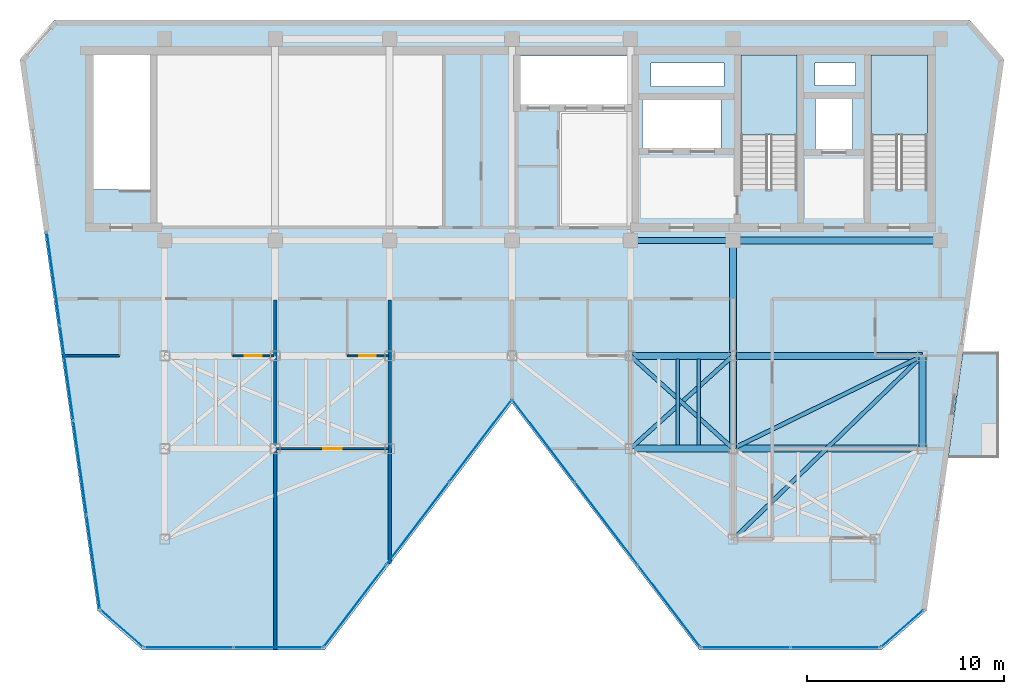
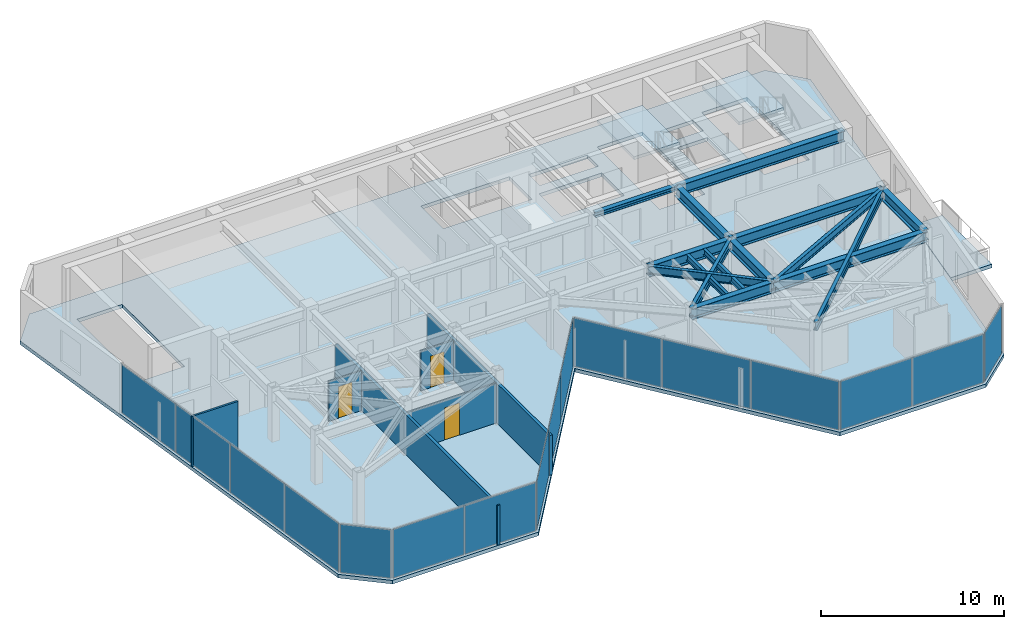
# One storey, part 15 of 20: 16 plates, 15 beams, 6 walls, 4 slabs, 3 doors, 3 openings, 9 elements without a shape of their own.
"""IFC4 building model written with IfcOpenShell, lengths in metres."""

import ifcopenshell
import ifcopenshell.guid

model = None  # the IFC model being written
_history = None  # IfcOwnerHistory: only IFC2X3 demands one
_inside = {}  # id of a spatial element -> (the spatial element, [elements in it])
_under = {}  # id of a project, library or spatial element -> (it, [spatial elements below it])
_declared = {}  # id of a project -> (the project, [libraries it declares])
_typed = {}  # id of a type object -> (the type object, [elements of that type])
_made_of = {}  # id of a material, layer set ... -> (it, [elements and type objects made of it])


def new_model(schema):
    """Start an empty IFC model of exactly this schema.

    Asked for "IFC4X3", IfcOpenShell would pick the latest addendum, in which some entities
    have other attributes; the version numbers below select the first issue.
    IFC2X3 requires an IfcOwnerHistory on every rooted entity: one is made here for all.
    """
    global model, _history
    if schema == "IFC4X3":
        model = ifcopenshell.file(schema_version=(4, 3, 0, 0))
    else:
        model = ifcopenshell.file(schema=schema)
    _inside.clear()
    _under.clear()
    _declared.clear()
    _typed.clear()
    _made_of.clear()
    _history = None
    if model.schema == "IFC2X3":
        org = make("IfcOrganization", Name="unknown")
        user = make(
            "IfcPersonAndOrganization",
            ThePerson=make("IfcPerson", FamilyName="unknown"),
            TheOrganization=org,
        )
        app = make(
            "IfcApplication",
            ApplicationDeveloper=org,
            Version="unknown",
            ApplicationFullName="unknown",
            ApplicationIdentifier="unknown",
        )
        _history = make(
            "IfcOwnerHistory",
            OwningUser=user,
            OwningApplication=app,
            ChangeAction="ADDED",
            CreationDate=0,
        )
    return model


def make(cls, **values):
    """One entity of the class cls with the attributes given. An attribute that is None is left unset."""
    return model.create_entity(
        cls, **{name: value for name, value in values.items() if value is not None}
    )


def rooted(cls, **values):
    """An entity with a GlobalId (a new one), such as an element, a storey or a relation."""
    return make(cls, GlobalId=ifcopenshell.guid.new(), OwnerHistory=_history, **values)


def si_unit(unit_type, name, prefix=None):
    """IfcSIUnit, for example si_unit("LENGTHUNIT", "METRE", prefix="MILLI")."""
    return make("IfcSIUnit", UnitType=unit_type, Prefix=prefix, Name=name)


def assignment(units):
    """IfcUnitAssignment: the units of a project."""
    return None if units is None else make("IfcUnitAssignment", Units=units)


def point(xyz):
    """IfcCartesianPoint."""
    return None if xyz is None else make("IfcCartesianPoint", Coordinates=xyz)


def direction(xyz):
    """IfcDirection."""
    return None if xyz is None else make("IfcDirection", DirectionRatios=xyz)


def frame(location, z_axis=None, x_axis=None):
    """IfcAxis2Placement3D, a coordinate frame: its origin and axes. An axis left out is left unset."""
    return make(
        "IfcAxis2Placement3D",
        Location=point(location),
        Axis=direction(z_axis),
        RefDirection=direction(x_axis),
    )


def frame_2d(location, x_axis=None):
    """IfcAxis2Placement2D, a coordinate frame in the plane: its origin and x axis."""
    return make(
        "IfcAxis2Placement2D", Location=point(location), RefDirection=direction(x_axis)
    )


def origin():
    """The frame at (0, 0, 0) with its axes left unset."""
    return frame((0.0, 0.0, 0.0))


def origin_2d():
    """The frame at (0, 0) in the plane with its x axis left unset."""
    return frame_2d((0.0, 0.0))


def place(relative_to, where):
    """IfcLocalPlacement: puts the frame where relative to a parent placement (None: the world)."""
    return make(
        "IfcLocalPlacement", PlacementRelTo=relative_to, RelativePlacement=where
    )


def context(
    kind, dimensions, precision=None, world=None, true_north=None, identifier=None
):
    """IfcGeometricRepresentationContext, for example the 3D "Model" context."""
    return make(
        "IfcGeometricRepresentationContext",
        ContextIdentifier=identifier,
        ContextType=kind,
        CoordinateSpaceDimension=dimensions,
        Precision=precision,
        WorldCoordinateSystem=world,
        TrueNorth=true_north,
    )


def subcontext(parent, identifier, kind, view, scale=None):
    """IfcGeometricRepresentationSubContext, for example "Body" below "Model"."""
    return make(
        "IfcGeometricRepresentationSubContext",
        ContextIdentifier=identifier,
        ContextType=kind,
        ParentContext=parent,
        TargetScale=scale,
        TargetView=view,
    )


def project(units=None, contexts=None):
    """IfcProject with its units and contexts."""
    return rooted(
        "IfcProject",
        Name="project",
        RepresentationContexts=contexts,
        UnitsInContext=assignment(units),
    )


def spatial(cls, under=None, at=None, **own):
    """A site, building, storey or space (cls), placed at a placement, below another one or the project."""
    s = rooted(cls, ObjectPlacement=at, **own)
    if under is not None:
        _under.setdefault(under.id(), (under, []))[1].append(s)
    return s


def polyline(points):
    """IfcPolyline through the points."""
    return make("IfcPolyline", Points=[point(p) for p in points])


def profile(cls, at=None, kind="AREA", **sizes):
    """A parametric profile (cls). Its sizes go by their IFC names, for example OverallWidth=200.0."""
    return make(cls, ProfileType=kind, Position=at, **sizes)


def rectangle(**sizes):
    """IfcRectangleProfileDef."""
    return profile("IfcRectangleProfileDef", **sizes)


def i_section(**sizes):
    """IfcIShapeProfileDef."""
    return profile("IfcIShapeProfileDef", **sizes)


def outline(outer, holes=None, kind="AREA"):
    """IfcArbitraryClosedProfileDef: a profile drawn as a closed curve; with holes, ...WithVoids."""
    if holes is None:
        return make("IfcArbitraryClosedProfileDef", ProfileType=kind, OuterCurve=outer)
    return make(
        "IfcArbitraryProfileDefWithVoids",
        ProfileType=kind,
        OuterCurve=outer,
        InnerCurves=holes,
    )


def extrude(swept, where, along, depth):
    """IfcExtrudedAreaSolid: the profile swept, set in the frame where, extruded along a direction by depth."""
    return make(
        "IfcExtrudedAreaSolid",
        SweptArea=swept,
        Position=where,
        ExtrudedDirection=direction(along),
        Depth=depth,
    )


def shape(context_of_items, identifier, shape_type, items):
    """IfcShapeRepresentation: the items that make up one representation, for example the "Body"."""
    return make(
        "IfcShapeRepresentation",
        ContextOfItems=context_of_items,
        RepresentationIdentifier=identifier,
        RepresentationType=shape_type,
        Items=items,
    )


def material(Name=None, Category=None):
    """IfcMaterial."""
    return make("IfcMaterial", Name=Name, Category=Category)


def layer(
    of_material, thickness, ventilated=None, Name=None, Category=None, Priority=None
):
    """IfcMaterialLayer: one layer of a wall or slab, of a material (None: an air gap)."""
    return make(
        "IfcMaterialLayer",
        Material=of_material,
        LayerThickness=thickness,
        IsVentilated=ventilated,
        Name=Name,
        Category=Category,
        Priority=Priority,
    )


def layer_set(layers, Name=None):
    """IfcMaterialLayerSet."""
    return make("IfcMaterialLayerSet", MaterialLayers=layers, LayerSetName=Name)


def material_profile(
    of_material, cross_section, Name=None, Category=None, Priority=None
):
    """IfcMaterialProfile: a cross section and its material."""
    return make(
        "IfcMaterialProfile",
        Name=Name,
        Material=of_material,
        Profile=cross_section,
        Priority=Priority,
        Category=Category,
    )


def profile_set(profiles, Name=None, composite=None):
    """IfcMaterialProfileSet."""
    return make(
        "IfcMaterialProfileSet",
        Name=Name,
        MaterialProfiles=profiles,
        CompositeProfile=composite,
    )


def made_of(thing, what):
    """Note that an element or type object is made of a material, layer set ...; save() writes the relation."""
    if what is not None:
        _made_of.setdefault(what.id(), (what, []))[1].append(thing)
    return thing


def type_object(cls, material=None, **own):
    """A type object (cls), such as IfcWallType, which elements share."""
    return made_of(rooted(cls, **own), material)


def element(
    cls,
    number,
    at=None,
    inside=None,
    cuts=None,
    type_object=None,
    material=None,
    context=None,
    identifier="Body",
    shape_type=None,
    held_by="IfcProductDefinitionShape",
    body=None,
    shapes=None,
    **own,
):
    """One element of the class cls, such as IfcWall. Its Tag is "e" and its number.

    at: its placement. inside: the storey or other place that contains it. cuts: it is an
    opening in that element (IfcRelVoidsElement). A single representation is given by context,
    identifier, shape_type and body (its items); several are given by shapes. held_by: the class
    of the entity that holds the representations. save() writes the other relations.
    """
    e = rooted(cls, Tag="e%d" % number, ObjectPlacement=at, **own)
    if body is not None:
        shapes = [shape(context, identifier, shape_type, body)]
    if shapes is not None:
        e.Representation = make(held_by, Representations=shapes)
    if inside is not None:
        _inside.setdefault(inside.id(), (inside, []))[1].append(e)
    if cuts is not None:
        rooted(
            "IfcRelVoidsElement", RelatingBuildingElement=cuts, RelatedOpeningElement=e
        )
    if type_object is not None:
        _typed.setdefault(type_object.id(), (type_object, []))[1].append(e)
    return made_of(e, material)


def fill(opening, filler):
    """IfcRelFillsElement: the door or window that sits in an opening."""
    return rooted(
        "IfcRelFillsElement",
        RelatingOpeningElement=opening,
        RelatedBuildingElement=filler,
    )


def aggregate(whole, parts):
    """IfcRelAggregates: a whole, such as a stair, and the parts it consists of."""
    return rooted("IfcRelAggregates", RelatingObject=whole, RelatedObjects=parts)


def save(model, path):
    """Write the relations noted so far, then the file.

    IfcRelAggregates (storeys below a building ...), IfcRelContainedInSpatialStructure (elements
    in a storey), IfcRelDefinesByType, IfcRelAssociatesMaterial and IfcRelDeclares: one each for
    every whole, place, type object, material and project.
    """
    for whole, parts in _under.values():
        aggregate(whole, parts)
    for where, things in _inside.values():
        rooted(
            "IfcRelContainedInSpatialStructure",
            RelatedElements=things,
            RelatingStructure=where,
        )
    for kind, things in _typed.values():
        rooted("IfcRelDefinesByType", RelatedObjects=things, RelatingType=kind)
    for what, things in _made_of.values():
        rooted("IfcRelAssociatesMaterial", RelatedObjects=things, RelatingMaterial=what)
    for by, libraries in _declared.values():
        rooted("IfcRelDeclares", RelatingContext=by, RelatedDefinitions=libraries)
    model.write(path)


model = new_model("IFC4")

# Units and contexts
model_context = context("Model", 3, precision=1e-05, world=origin(), true_north=direction((0.0, 1.0)))
body_context = subcontext(model_context, "Body", "Model", "MODEL_VIEW")
ifc_project = project(units=[si_unit("LENGTHUNIT", "METRE"), si_unit("AREAUNIT", "SQUARE_METRE"), si_unit("VOLUMEUNIT", "CUBIC_METRE"), si_unit("PLANEANGLEUNIT", "RADIAN"), si_unit("MASSUNIT", "GRAM", prefix="KILO")], contexts=[model_context])

# Site, building, storey
site_placement = place(None, origin())
site = spatial("IfcSite", under=ifc_project, at=site_placement, CompositionType="ELEMENT")
building_placement = place(site_placement, origin())
building = spatial("IfcBuilding", under=site, at=building_placement, Name="Kravanh Interchange Tower", CompositionType="ELEMENT")
storey_placement = place(building_placement, frame((0.0, 0.0, 241.800048828125)))
storey = spatial("IfcBuildingStorey", under=building, at=storey_placement, Name="L58", CompositionType="ELEMENT", Elevation=241.800048828125)

# Beams
ifc_material_1 = material(Name="Structural Steel S355", Category="steel")
ifc_material_profile_1 = material_profile(ifc_material_1, i_section(OverallWidth=0.35498046875, OverallDepth=0.696044921875, WebThickness=0.015380859375, FlangeThickness=0.02490234375, FilletRadius=0.02392578125, at=origin_2d()), Name="W27X146")
ifc_profile_set_1 = profile_set([ifc_material_profile_1], Name="Structural Steel S355")
beam_type_1 = type_object("IfcBeamType", Name="Floor Beam W27X146 Structural Steel S355", PredefinedType="BEAM", material=ifc_profile_set_1)
beam_1_placement = place(storey_placement, frame((50.800048828125, 31.5, 3.001953125), z_axis=(1.0, 0.0, 0.0), x_axis=(0.0, 1.0, 0.0)))
element("IfcBeam", 1, at=beam_1_placement, inside=storey, type_object=beam_type_1, Name="L58 Primary Floor Girder 6", PredefinedType="BEAM", context=body_context, shape_type="SweptSolid", body=[
    extrude(i_section(OverallWidth=0.35498046875, OverallDepth=0.696044921875, WebThickness=0.015380859375, FlangeThickness=0.02490234375, FilletRadius=0.02392578125, at=origin_2d()), origin(), (0.0, 0.0, 1.0), 5.199951171875),
])
beam_2_placement = place(storey_placement, frame((56.0, 31.5, 3.001953125), z_axis=(0.0, -1.0, 0.0), x_axis=(1.0, 0.0, 0.0)))
element("IfcBeam", 2, at=beam_2_placement, inside=storey, type_object=beam_type_1, Name="L58 Primary Floor Girder 9", PredefinedType="BEAM", context=body_context, shape_type="SweptSolid", body=[
    extrude(i_section(OverallWidth=0.35498046875, OverallDepth=0.696044921875, WebThickness=0.015380859375, FlangeThickness=0.02490234375, FilletRadius=0.02392578125, at=origin_2d()), origin(), (0.0, 0.0, 1.0), 4.699951171875),
])
beam_3_placement = place(storey_placement, frame((56.0, 31.5, 3.001953125), z_axis=(0.0, 1.0, 0.0), x_axis=(-1.0, 0.0, 0.0)))
element("IfcBeam", 3, at=beam_3_placement, inside=storey, type_object=beam_type_1, Name="L58 Primary Floor Girder 10", PredefinedType="BEAM", context=body_context, shape_type="SweptSolid", body=[
    extrude(i_section(OverallWidth=0.35498046875, OverallDepth=0.696044921875, WebThickness=0.015380859375, FlangeThickness=0.02490234375, FilletRadius=0.02392578125, at=origin_2d()), origin(), (0.0, 0.0, 1.0), 5.85009765625),
])
beam_4_placement = place(storey_placement, frame((56.0, 31.5, 3.001953125), z_axis=(1.0, 0.0, 0.0), x_axis=(0.0, 1.0, 0.0)))
element("IfcBeam", 4, at=beam_4_placement, inside=storey, type_object=beam_type_1, Name="L58 Primary Floor Girder 12", PredefinedType="BEAM", context=body_context, shape_type="SweptSolid", body=[
    extrude(i_section(OverallWidth=0.35498046875, OverallDepth=0.696044921875, WebThickness=0.015380859375, FlangeThickness=0.02490234375, FilletRadius=0.02392578125, at=origin_2d()), origin(), (0.0, 0.0, 1.0), 9.60009765625),
])
beam_5_placement = place(storey_placement, frame((65.60009765625, 31.5, 3.001953125), z_axis=(0.0, -1.0, 0.0), x_axis=(1.0, 0.0, 0.0)))
element("IfcBeam", 5, at=beam_5_placement, inside=storey, type_object=beam_type_1, Name="L58 Primary Floor Girder 13", PredefinedType="BEAM", context=body_context, shape_type="SweptSolid", body=[
    extrude(i_section(OverallWidth=0.35498046875, OverallDepth=0.696044921875, WebThickness=0.015380859375, FlangeThickness=0.02490234375, FilletRadius=0.02392578125, at=origin_2d()), origin(), (0.0, 0.0, 1.0), 4.699951171875),
])
beam_6_placement = place(storey_placement, frame((50.800048828125, 26.800048828125, 3.001953125), z_axis=(1.0, 0.0, 0.0), x_axis=(0.0, 1.0, 0.0)))
element("IfcBeam", 6, at=beam_6_placement, inside=storey, type_object=beam_type_1, Name="L58 Primary Floor Girder 31", PredefinedType="BEAM", context=body_context, shape_type="SweptSolid", body=[
    extrude(i_section(OverallWidth=0.35498046875, OverallDepth=0.696044921875, WebThickness=0.015380859375, FlangeThickness=0.02490234375, FilletRadius=0.02392578125, at=origin_2d()), origin(), (0.0, 0.0, 1.0), 5.199951171875),
])
beam_7_placement = place(storey_placement, frame((56.0, 26.800048828125, 3.001953125), z_axis=(1.0, 0.0, 0.0), x_axis=(0.0, 1.0, 0.0)))
element("IfcBeam", 7, at=beam_7_placement, inside=storey, type_object=beam_type_1, Name="L58 Primary Floor Girder 36", PredefinedType="BEAM", context=body_context, shape_type="SweptSolid", body=[
    extrude(i_section(OverallWidth=0.35498046875, OverallDepth=0.696044921875, WebThickness=0.015380859375, FlangeThickness=0.02490234375, FilletRadius=0.02392578125, at=origin_2d()), origin(), (0.0, 0.0, 1.0), 9.60009765625),
])
beam_8_placement = place(storey_placement, frame((66.5, 37.35009765625, 3.001953125), z_axis=(-1.0, 0.0, 0.0), x_axis=(0.0, -1.0, 0.0)))
element("IfcBeam", 8, at=beam_8_placement, inside=storey, type_object=beam_type_1, Name="L58 Primary Floor Girder 47", PredefinedType="BEAM", context=body_context, shape_type="SweptSolid", body=[
    extrude(i_section(OverallWidth=0.35498046875, OverallDepth=0.696044921875, WebThickness=0.015380859375, FlangeThickness=0.02490234375, FilletRadius=0.02392578125, at=origin_2d()), origin(), (0.0, 0.0, 1.0), 10.5),
])
ifc_material_2 = material(Name="Structural Steel S355", Category="steel")
ifc_material_profile_2 = material_profile(ifc_material_2, i_section(OverallWidth=0.177978515625, OverallDepth=0.406005859375, WebThickness=0.0078125, FlangeThickness=0.0126953125, FilletRadius=0.01611328125, at=origin_2d()), Name="W16X40")
ifc_profile_set_2 = profile_set([ifc_material_profile_2], Name="Structural Steel S355")
beam_type_2 = type_object("IfcBeamType", Name="Floor Joist W16X40 Structural Steel S355", PredefinedType="JOIST", material=ifc_profile_set_2)
for number, where, z_axis, x_axis, name in (
    (9, (53.205078125, 26.972412109375, 3.14697265625), (0.0, 1.0, 0.0), (-1.0, 0.0, 0.0), "L58 Secondary Floor Joist 11"),
    (10, (54.258056640625, 26.972412109375, 3.14697265625), (0.0, 1.0, 0.0), (-1.0, 0.0, 0.0), "L58 Secondary Floor Joist 12"),
):
    element("IfcBeam", number, at=place(storey_placement, frame(where, z_axis=z_axis, x_axis=x_axis)), inside=storey, type_object=beam_type_2, Name=name, PredefinedType="JOIST", context=body_context, shape_type="SweptSolid", body=[
        extrude(i_section(OverallWidth=0.177978515625, OverallDepth=0.406005859375, WebThickness=0.0078125, FlangeThickness=0.0126953125, FilletRadius=0.01611328125, at=origin_2d()), origin(), (0.0, 0.0, 1.0), 4.35498046875),
    ])
ifc_material_3 = material(Name="Structural Steel S355", Category="steel")
ifc_material_profile_3 = material_profile(ifc_material_3, i_section(OverallWidth=0.304931640625, OverallDepth=0.306884765625, WebThickness=0.010009765625, FlangeThickness=0.015380859375, FilletRadius=0.014892578125, at=origin_2d()), Name="W12X65")
ifc_profile_set_3 = profile_set([ifc_material_profile_3], Name="Structural Steel S355")
beam_type_3 = type_object("IfcBeamType", Name="Floor Lintel W12X65 Structural Steel S355", PredefinedType="LINTEL", material=ifc_profile_set_3)
beam_9_placement = place(storey_placement, frame((50.800048828125, 37.35009765625, 3.196533203125), z_axis=(1.0, 0.0, 0.0), x_axis=(0.0, 1.0, 0.0)))
element("IfcBeam", 11, at=beam_9_placement, inside=storey, type_object=beam_type_3, Name="L58 Core Coupling Lintel 1", PredefinedType="LINTEL", context=body_context, shape_type="SweptSolid", body=[
    extrude(i_section(OverallWidth=0.304931640625, OverallDepth=0.306884765625, WebThickness=0.010009765625, FlangeThickness=0.015380859375, FilletRadius=0.014892578125, at=origin_2d()), origin(), (0.0, 0.0, 1.0), 5.199951171875),
])
ifc_material_4 = material(Name="Structural Steel S355", Category="steel")
ifc_material_profile_4 = material_profile(ifc_material_4, i_section(OverallWidth=0.2099609375, OverallDepth=0.537109375, WebThickness=0.010986328125, FlangeThickness=0.017333984375, FilletRadius=0.02001953125, at=origin_2d()), Name="W21X68")
ifc_profile_set_4 = profile_set([ifc_material_profile_4], Name="Structural Steel S355")
beam_type_4 = type_object("IfcBeamType", Name="Floor Spandrel W21X68 Structural Steel S355", PredefinedType="SPANDREL", material=ifc_profile_set_4)
for number, where, z_axis, x_axis, name in (
    (12, (50.800048828125, 31.5, 3.08154296875), (0.741874009795, -0.670539300557, 0.0), (0.670539300557, 0.741874009795, 0.0), "L58 Perimeter Spandrel 8"),
    (13, (56.0, 31.5, 3.08154296875), (-0.741874009795, -0.670539300557, 0.0), (0.670539300557, -0.741874009795, 0.0), "L58 Perimeter Spandrel 11"),
):
    element("IfcBeam", number, at=place(storey_placement, frame(where, z_axis=z_axis, x_axis=x_axis)), inside=storey, type_object=beam_type_4, Name=name, PredefinedType="SPANDREL", context=body_context, shape_type="SweptSolid", body=[
        extrude(i_section(OverallWidth=0.2099609375, OverallDepth=0.537109375, WebThickness=0.010986328125, FlangeThickness=0.017333984375, FilletRadius=0.02001953125, at=origin_2d()), origin(), (0.0, 0.0, 1.0), 7.00927734375),
    ])
beam_10_placement = place(storey_placement, frame((65.60009765625, 31.5, 3.08154296875), z_axis=(-0.898141688387, -0.439706160499, 0.0), x_axis=(0.439706160499, -0.898141688387, 0.0)))
element("IfcBeam", 14, at=beam_10_placement, inside=storey, type_object=beam_type_4, Name="L58 Perimeter Spandrel 15", PredefinedType="SPANDREL", context=body_context, shape_type="SweptSolid", body=[
    extrude(i_section(OverallWidth=0.2099609375, OverallDepth=0.537109375, WebThickness=0.010986328125, FlangeThickness=0.017333984375, FilletRadius=0.02001953125, at=origin_2d()), origin(), (0.0, 0.0, 1.0), 10.68896484375),
])
beam_11_placement = place(storey_placement, frame((65.60009765625, 31.5, 3.08154296875), z_axis=(-0.718241934329, -0.695793449072, 0.0), x_axis=(0.695793449072, -0.718241934329, 0.0)))
element("IfcBeam", 15, at=beam_11_placement, inside=storey, type_object=beam_type_4, Name="L58 Perimeter Spandrel 16", PredefinedType="SPANDREL", context=body_context, shape_type="SweptSolid", body=[
    extrude(i_section(OverallWidth=0.2099609375, OverallDepth=0.537109375, WebThickness=0.010986328125, FlangeThickness=0.017333984375, FilletRadius=0.02001953125, at=origin_2d()), origin(), (0.0, 0.0, 1.0), 13.3662109375),
])

# Curtain wall, plates
ifc_material_5 = material(Name="Anodised Bronze Aluminium", Category="aluminium")
ifc_layer_1 = layer(ifc_material_5, 0.179931640625)
ifc_layer_set_1 = layer_set([ifc_layer_1], Name="Unitised Curtain Wall System CW-HTL Luxury Hotel")
curtain_wall_type = type_object("IfcCurtainWallType", Name="Unitised Curtain Wall System CW-HTL Luxury Hotel", PredefinedType="NOTDEFINED", material=ifc_layer_set_1)
curtain_wall_1_placement = place(storey_placement, origin())
curtain_wall_1 = element("IfcCurtainWall", 16, at=curtain_wall_1_placement, inside=storey, type_object=curtain_wall_type, Name="L58 Unitised Curtain Wall CW-L58-01", PredefinedType="NOTDEFINED")
ifc_material_6 = material(Name="Low-E Laminated Architectural Glass", Category="glass")
ifc_layer_2 = layer(ifc_material_6, 0.030029296875)
ifc_layer_set_2 = layer_set([ifc_layer_2], Name="Acoustic Laminated Glazing 30mm")
plate_type = type_object("IfcPlateType", Name="Acoustic Laminated Glazing 30mm", PredefinedType="CURTAIN_PANEL", material=ifc_layer_set_2)
plate_1_placement = place(storey_placement, frame((23.578857421875, 21.05126953125, 0.06005859375), z_axis=(0.0, 0.0, 1.0), x_axis=(-0.13917626751, 0.990267623707, 0.0)))
plate_1 = element("IfcPlate", 17, at=plate_1_placement, type_object=plate_type, Name="CW-HTL panel 1.1", PredefinedType="CURTAIN_PANEL", context=body_context, shape_type="SweptSolid", body=[
    extrude(rectangle(XDim=4.74658203125, YDim=0.030029296875, at=origin_2d()), origin(), (0.0, 0.0, 1.0), 3.22998046875),
])
plate_2_placement = place(storey_placement, frame((22.90771484375, 25.825927734375, 0.06005859375), z_axis=(0.0, 0.0, 1.0), x_axis=(-0.13917626751, 0.990267623707, 0.0)))
plate_2 = element("IfcPlate", 18, at=plate_2_placement, type_object=plate_type, Name="CW-HTL panel 2.1", PredefinedType="CURTAIN_PANEL", context=body_context, shape_type="SweptSolid", body=[
    extrude(rectangle(XDim=4.776611328125, YDim=0.030029296875, at=origin_2d()), origin(), (0.0, 0.0, 1.0), 3.22998046875),
])
plate_3_placement = place(storey_placement, frame((22.234619140625, 30.615478515625, 0.06005859375), z_axis=(0.0, 0.0, 1.0), x_axis=(-0.13917626751, 0.990267623707, 0.0)))
plate_3 = element("IfcPlate", 19, at=plate_3_placement, type_object=plate_type, Name="CW-HTL panel 3.1", PredefinedType="CURTAIN_PANEL", context=body_context, shape_type="SweptSolid", body=[
    extrude(rectangle(XDim=4.776611328125, YDim=0.030029296875, at=origin_2d()), origin(), (0.0, 0.0, 1.0), 3.22998046875),
])
plate_4_placement = place(storey_placement, frame((21.5634765625, 35.390380859375, 0.06005859375), z_axis=(0.0, 0.0, 1.0), x_axis=(-0.13917626751, 0.990267623707, 0.0)))
plate_4 = element("IfcPlate", 20, at=plate_4_placement, type_object=plate_type, Name="CW-HTL panel 4.1", PredefinedType="CURTAIN_PANEL", context=body_context, shape_type="SweptSolid", body=[
    extrude(rectangle(XDim=4.74658203125, YDim=0.030029296875, at=origin_2d()), origin(), (0.0, 0.0, 1.0), 3.22998046875),
])
aggregate(curtain_wall_1, [plate_1, plate_2, plate_3, plate_4])

# Curtain wall, plate
curtain_wall_2_placement = place(storey_placement, origin())
curtain_wall_2 = element("IfcCurtainWall", 21, at=curtain_wall_2_placement, inside=storey, type_object=curtain_wall_type, Name="L58 Unitised Curtain Wall CW-L58-02", PredefinedType="NOTDEFINED")
plate_5_placement = place(storey_placement, frame((64.5771484375, 17.680908203125, 0.06005859375), z_axis=(0.0, 0.0, 1.0), x_axis=(-0.75473192521, -0.656033323139, 0.0)))
plate_5 = element("IfcPlate", 22, at=plate_5_placement, type_object=plate_type, Name="CW-HTL panel 1.1", PredefinedType="CURTAIN_PANEL", context=body_context, shape_type="SweptSolid", body=[
    extrude(rectangle(XDim=2.80908203125, YDim=0.030029296875, at=origin_2d()), origin(), (0.0, 0.0, 1.0), 3.22998046875),
])
aggregate(curtain_wall_2, [plate_5])

# Curtain wall, plates
curtain_wall_3_placement = place(storey_placement, origin())
curtain_wall_3 = element("IfcCurtainWall", 23, at=curtain_wall_3_placement, inside=storey, type_object=curtain_wall_type, Name="L58 Unitised Curtain Wall CW-L58-03", PredefinedType="NOTDEFINED")
plate_6_placement = place(storey_placement, frame((61.1787109375, 16.719970703125, 0.06005859375), z_axis=(0.0, 0.0, 1.0), x_axis=(-1.0, 0.0, 0.0)))
plate_6 = element("IfcPlate", 24, at=plate_6_placement, type_object=plate_type, Name="CW-HTL panel 1.1", PredefinedType="CURTAIN_PANEL", context=body_context, shape_type="SweptSolid", body=[
    extrude(rectangle(XDim=4.466064453125, YDim=0.030029296875, at=origin_2d()), origin(), (0.0, 0.0, 1.0), 3.22998046875),
])
plate_7_placement = place(storey_placement, frame((56.652587890625, 16.719970703125, 0.06005859375), z_axis=(0.0, 0.0, 1.0), x_axis=(-1.0, 0.0, 0.0)))
plate_7 = element("IfcPlate", 25, at=plate_7_placement, type_object=plate_type, Name="CW-HTL panel 2.1", PredefinedType="CURTAIN_PANEL", context=body_context, shape_type="SweptSolid", body=[
    extrude(rectangle(XDim=4.466064453125, YDim=0.030029296875, at=origin_2d()), origin(), (0.0, 0.0, 1.0), 3.22998046875),
])
aggregate(curtain_wall_3, [plate_6, plate_7])

curtain_wall_4_placement = place(storey_placement, origin())
curtain_wall_4 = element("IfcCurtainWall", 26, at=curtain_wall_4_placement, inside=storey, type_object=curtain_wall_type, Name="L58 Unitised Curtain Wall CW-L58-04", PredefinedType="NOTDEFINED")
plate_8_placement = place(storey_placement, frame((52.757080078125, 18.828369140625, 0.06005859375), z_axis=(0.0, 0.0, 1.0), x_axis=(-0.605082946564, 0.79616243806, 0.0)))
plate_8 = element("IfcPlate", 27, at=plate_8_placement, type_object=plate_type, Name="CW-HTL panel 1.1", PredefinedType="CURTAIN_PANEL", context=body_context, shape_type="SweptSolid", body=[
    extrude(rectangle(XDim=5.17626953125, YDim=0.030029296875, at=origin_2d()), origin(), (0.0, 0.0, 1.0), 3.22998046875),
])
plate_9_placement = place(storey_placement, frame((49.579833984375, 23.009033203125, 0.06005859375), z_axis=(0.0, 0.0, 1.0), x_axis=(-0.605082946564, 0.79616243806, 0.0)))
plate_9 = element("IfcPlate", 28, at=plate_9_placement, type_object=plate_type, Name="CW-HTL panel 2.1", PredefinedType="CURTAIN_PANEL", context=body_context, shape_type="SweptSolid", body=[
    extrude(rectangle(XDim=5.206298828125, YDim=0.030029296875, at=origin_2d()), origin(), (0.0, 0.0, 1.0), 3.22998046875),
])
plate_10_placement = place(storey_placement, frame((46.40234375, 27.18994140625, 0.06005859375), z_axis=(0.0, 0.0, 1.0), x_axis=(-0.605082946564, 0.79616243806, 0.0)))
plate_10 = element("IfcPlate", 29, at=plate_10_placement, type_object=plate_type, Name="CW-HTL panel 3.1", PredefinedType="CURTAIN_PANEL", context=body_context, shape_type="SweptSolid", body=[
    extrude(rectangle(XDim=5.17626953125, YDim=0.030029296875, at=origin_2d()), origin(), (0.0, 0.0, 1.0), 3.22998046875),
])
aggregate(curtain_wall_4, [plate_8, plate_9, plate_10])

curtain_wall_5_placement = place(storey_placement, origin())
curtain_wall_5 = element("IfcCurtainWall", 30, at=curtain_wall_5_placement, inside=storey, type_object=curtain_wall_type, Name="L58 Unitised Curtain Wall CW-L58-05", PredefinedType="NOTDEFINED")
plate_11_placement = place(storey_placement, frame((43.19775390625, 27.18994140625, 0.06005859375), z_axis=(0.0, 0.0, 1.0), x_axis=(-0.605082946564, -0.79616243806, 0.0)))
plate_11 = element("IfcPlate", 31, at=plate_11_placement, type_object=plate_type, Name="CW-HTL panel 1.1", PredefinedType="CURTAIN_PANEL", context=body_context, shape_type="SweptSolid", body=[
    extrude(rectangle(XDim=5.17626953125, YDim=0.030029296875, at=origin_2d()), origin(), (0.0, 0.0, 1.0), 3.22998046875),
])
plate_12_placement = place(storey_placement, frame((40.020263671875, 23.009033203125, 0.06005859375), z_axis=(0.0, 0.0, 1.0), x_axis=(-0.605082946564, -0.79616243806, 0.0)))
plate_12 = element("IfcPlate", 32, at=plate_12_placement, type_object=plate_type, Name="CW-HTL panel 2.1", PredefinedType="CURTAIN_PANEL", context=body_context, shape_type="SweptSolid", body=[
    extrude(rectangle(XDim=5.206298828125, YDim=0.030029296875, at=origin_2d()), origin(), (0.0, 0.0, 1.0), 3.22998046875),
])
plate_13_placement = place(storey_placement, frame((36.8427734375, 18.828369140625, 0.06005859375), z_axis=(0.0, 0.0, 1.0), x_axis=(-0.605082946564, -0.79616243806, 0.0)))
plate_13 = element("IfcPlate", 33, at=plate_13_placement, type_object=plate_type, Name="CW-HTL panel 3.1", PredefinedType="CURTAIN_PANEL", context=body_context, shape_type="SweptSolid", body=[
    extrude(rectangle(XDim=5.17626953125, YDim=0.030029296875, at=origin_2d()), origin(), (0.0, 0.0, 1.0), 3.22998046875),
])
aggregate(curtain_wall_5, [plate_11, plate_12, plate_13])

curtain_wall_6_placement = place(storey_placement, origin())
curtain_wall_6 = element("IfcCurtainWall", 34, at=curtain_wall_6_placement, inside=storey, type_object=curtain_wall_type, Name="L58 Unitised Curtain Wall CW-L58-06", PredefinedType="NOTDEFINED")
plate_14_placement = place(storey_placement, frame((32.947509765625, 16.719970703125, 0.06005859375), z_axis=(0.0, 0.0, 1.0), x_axis=(-1.0, 0.0, 0.0)))
plate_14 = element("IfcPlate", 35, at=plate_14_placement, type_object=plate_type, Name="CW-HTL panel 1.1", PredefinedType="CURTAIN_PANEL", context=body_context, shape_type="SweptSolid", body=[
    extrude(rectangle(XDim=4.466064453125, YDim=0.030029296875, at=origin_2d()), origin(), (0.0, 0.0, 1.0), 3.22998046875),
])
plate_15_placement = place(storey_placement, frame((28.42138671875, 16.719970703125, 0.06005859375), z_axis=(0.0, 0.0, 1.0), x_axis=(-1.0, 0.0, 0.0)))
plate_15 = element("IfcPlate", 36, at=plate_15_placement, type_object=plate_type, Name="CW-HTL panel 2.1", PredefinedType="CURTAIN_PANEL", context=body_context, shape_type="SweptSolid", body=[
    extrude(rectangle(XDim=4.466064453125, YDim=0.030029296875, at=origin_2d()), origin(), (0.0, 0.0, 1.0), 3.22998046875),
])
aggregate(curtain_wall_6, [plate_14, plate_15])

# Curtain wall, plate
curtain_wall_7_placement = place(storey_placement, origin())
curtain_wall_7 = element("IfcCurtainWall", 37, at=curtain_wall_7_placement, inside=storey, type_object=curtain_wall_type, Name="L58 Unitised Curtain Wall CW-L58-07", PredefinedType="NOTDEFINED")
plate_16_placement = place(storey_placement, frame((25.02294921875, 17.680908203125, 0.06005859375), z_axis=(0.0, 0.0, 1.0), x_axis=(-0.75473192521, 0.656033323139, 0.0)))
plate_16 = element("IfcPlate", 38, at=plate_16_placement, type_object=plate_type, Name="CW-HTL panel 1.1", PredefinedType="CURTAIN_PANEL", context=body_context, shape_type="SweptSolid", body=[
    extrude(rectangle(XDim=2.80908203125, YDim=0.030029296875, at=origin_2d()), origin(), (0.0, 0.0, 1.0), 3.22998046875),
])
aggregate(curtain_wall_7, [plate_16])

# Slab
ifc_material_7 = material(Name="Concrete C50/60", Category="concrete")
ifc_layer_3 = layer(ifc_material_7, 0.239990234375)
ifc_layer_set_3 = layer_set([ifc_layer_3], Name="Composite Floor Slab Concrete C50/60 240mm")
slab_type_1 = type_object("IfcSlabType", Name="Composite Floor Slab Concrete C50/60 240mm", PredefinedType="FLOOR", material=ifc_layer_set_3)
slab_1_placement = place(storey_placement, frame((0.0, 0.0, -0.239990234375)))
element("IfcSlab", 39, at=slab_1_placement, inside=storey, type_object=slab_type_1, Name="L58 Structural Floor Slab", PredefinedType="FLOOR", context=body_context, shape_type="SweptSolid", body=[
    extrude(outline(polyline([(23.804931640625, 18.58056640625), (26.083251953125, 16.60009765625), (35.300048828125, 16.60009765625), (44.800048828125, 29.10009765625), (54.300048828125, 16.60009765625), (63.5166015625, 16.60009765625), (65.795166015625, 18.58056640625), (69.7216796875, 46.51953125), (68.0, 48.5), (21.60009765625, 48.5), (19.87841796875, 46.51953125), (23.804931640625, 18.58056640625)]), holes=[polyline([(65.85009765625, 39.925048828125), (65.85009765625, 46.75), (63.0, 46.75), (63.0, 39.925048828125), (65.85009765625, 39.925048828125)]), polyline([(59.25, 39.925048828125), (59.25, 46.75), (56.39990234375, 46.75), (56.39990234375, 39.925048828125), (59.25, 39.925048828125)]), polyline([(26.449951171875, 39.925048828125), (26.449951171875, 46.75), (23.60009765625, 46.75), (23.60009765625, 39.925048828125), (26.449951171875, 39.925048828125)]), polyline([(45.239990234375, 44.219970703125), (50.840087890625, 44.219970703125), (50.840087890625, 46.699951171875), (45.239990234375, 46.699951171875), (45.239990234375, 44.219970703125)]), polyline([(51.419921875, 42.02001953125), (55.3798828125, 42.02001953125), (55.3798828125, 44.47998046875), (51.419921875, 44.47998046875), (51.419921875, 42.02001953125)]), polyline([(60.179931640625, 41.97998046875), (62.06005859375, 41.97998046875), (62.06005859375, 44.52001953125), (60.179931640625, 44.52001953125), (60.179931640625, 41.97998046875)]), polyline([(60.14990234375, 45.199951171875), (62.199951171875, 45.199951171875), (62.199951171875, 46.35009765625), (60.14990234375, 46.35009765625), (60.14990234375, 45.199951171875)]), polyline([(51.85009765625, 45.14990234375), (55.550048828125, 45.14990234375), (55.550048828125, 46.35009765625), (51.85009765625, 46.35009765625), (51.85009765625, 45.14990234375)])]), origin(), (0.0, 0.0, 1.0), 0.239990234375),
])

# Stair, slab
ifc_material_8 = material(Name="Concrete C50/60", Category="concrete")
stair_type = type_object("IfcStairType", Name="Core Fire Exit Dogleg Stair Concrete C50/60", PredefinedType="HALF_TURN_STAIR", material=ifc_material_8)
stair_1_placement = place(storey_placement, origin())
stair_1 = element("IfcStair", 40, at=stair_1_placement, inside=storey, type_object=stair_type, Name="L58 Exit Stair ST1", PredefinedType="HALF_TURN_STAIR")
ifc_material_9 = material(Name="Concrete C50/60", Category="concrete")
ifc_layer_4 = layer(ifc_material_9, 0.199951171875)
ifc_layer_set_4 = layer_set([ifc_layer_4], Name="Concrete C50/60 Stair Half-Landing Slab 200mm")
slab_type_2 = type_object("IfcSlabType", Name="Concrete C50/60 Stair Half-Landing Slab 200mm", PredefinedType="LANDING", material=ifc_layer_set_4)
slab_2_placement = place(storey_placement, frame((0.0, 0.0, 1.599853515625)))
slab_2 = element("IfcSlab", 41, at=slab_2_placement, type_object=slab_type_2, Name="ST1 landing 1", PredefinedType="LANDING", context=body_context, shape_type="SweptSolid", body=[
    extrude(outline(polyline([(65.85009765625, 42.699951171875), (65.85009765625, 46.75), (63.0, 46.75), (63.0, 42.699951171875), (65.85009765625, 42.699951171875)])), origin(), (0.0, 0.0, 1.0), 0.2001953125),
])
aggregate(stair_1, [slab_2])

stair_2_placement = place(storey_placement, origin())
stair_2 = element("IfcStair", 42, at=stair_2_placement, inside=storey, type_object=stair_type, Name="L58 Exit Stair ST2", PredefinedType="HALF_TURN_STAIR")
slab_3_placement = place(storey_placement, frame((0.0, 0.0, 1.599853515625)))
slab_3 = element("IfcSlab", 43, at=slab_3_placement, type_object=slab_type_2, Name="ST2 landing 1", PredefinedType="LANDING", context=body_context, shape_type="SweptSolid", body=[
    extrude(outline(polyline([(59.25, 42.699951171875), (59.25, 46.75), (56.39990234375, 46.75), (56.39990234375, 42.699951171875), (59.25, 42.699951171875)])), origin(), (0.0, 0.0, 1.0), 0.2001953125),
])
aggregate(stair_2, [slab_3])

# Slab
ifc_material_10 = material(Name="Concrete C50/60", Category="concrete")
ifc_layer_5 = layer(ifc_material_10, 0.199951171875)
ifc_layer_set_5 = layer_set([ifc_layer_5], Name="Planted Tree Balcony Slab Concrete C50/60 200mm")
slab_type_3 = type_object("IfcSlabType", Name="Planted Tree Balcony Slab Concrete C50/60 200mm", PredefinedType="USERDEFINED", material=ifc_layer_set_5)
slab_4_placement = place(storey_placement, frame((0.0, 0.0, -0.239990234375)))
element("IfcSlab", 44, at=slab_4_placement, inside=storey, type_object=slab_type_3, Name="L58 East Tree Planter Balcony Slab", ObjectType="BALCONY", PredefinedType="USERDEFINED", context=body_context, shape_type="SweptSolid", body=[
    extrude(outline(polyline([(69.489990234375, 31.7099609375), (69.489990234375, 26.31005859375), (66.896484375, 26.31005859375), (67.655517578125, 31.7099609375), (69.489990234375, 31.7099609375)])), origin(), (0.0, 0.0, 1.0), 0.239990234375),
])

# Wall
ifc_material_11 = material(Name="Double Acoustic Gypsum Board and Mineral Wool")
ifc_layer_6 = layer(ifc_material_11, 0.1201171875)
ifc_layer_set_6 = layer_set([ifc_layer_6], Name="Acoustic Office Drywall Partition 120mm")
wall_type_1 = type_object("IfcWallType", Name="Acoustic Office Drywall Partition 120mm", PredefinedType="PARTITIONING", material=ifc_layer_set_6)
wall_1_placement = place(storey_placement, frame((22.00439453125, 31.5, 0.0), z_axis=(0.0, 0.0, 1.0), x_axis=(1.0, 0.0, 0.0)))
element("IfcWall", 45, at=wall_1_placement, inside=storey, type_object=wall_type_1, Name="L58 Interior Partition 16", PredefinedType="PARTITIONING", context=body_context, shape_type="SweptSolid", body=[
    extrude(rectangle(XDim=2.91552734375, YDim=0.1201171875, at=frame_2d((1.457763671875, 0.0))), origin(), (0.0, 0.0, 1.0), 3.349853515625),
])

# Wall, opening, door
ifc_material_12 = material(Name="Moisture-Resistant Gypsum Board and Mineral Wool")
ifc_layer_7 = layer(ifc_material_12, 0.10009765625)
ifc_layer_set_7 = layer_set([ifc_layer_7], Name="En-Suite Moisture-Resistant Partition 100mm")
wall_type_2 = type_object("IfcWallType", Name="En-Suite Moisture-Resistant Partition 100mm", PredefinedType="PARTITIONING", material=ifc_layer_set_7)
wall_2_placement = place(storey_placement, frame((30.64990234375, 31.5, 0.0), z_axis=(0.0, 0.0, 1.0), x_axis=(1.0, 0.0, 0.0)))
wall_2 = element("IfcWall", 46, at=wall_2_placement, inside=storey, type_object=wall_type_2, Name="L58 Interior Partition 25", PredefinedType="PARTITIONING", context=body_context, shape_type="SweptSolid", body=[
    extrude(rectangle(XDim=2.08203125, YDim=0.10009765625, at=frame_2d((1.041015625, 0.0))), origin(), (0.0, 0.0, 1.0), 2.654052734375),
])
opening_1_placement = place(wall_2_placement, frame((0.607421875, 0.0, 0.0)))
opening_1 = element("IfcOpeningElement", 47, at=opening_1_placement, cuts=wall_2, Name="Opening D-85", PredefinedType="OPENING", context=body_context, shape_type="SweptSolid", body=[
    extrude(rectangle(XDim=0.85009765625, YDim=2.10009765625, at=frame_2d((0.425048828125, 1.050048828125))), frame((0.0, 0.06005859375, 0.0), z_axis=(0.0, -1.0, 0.0), x_axis=(1.0, 0.0, 0.0)), (0.0, 0.0, 1.0), 0.1201171875),
])
ifc_material_13 = material(Name="Engineered Teak Veneer Timber", Category="wood")
door_type_1 = type_object("IfcDoorType", Name="En-Suite Timber Door 850x2100", OperationType="NOTDEFINED", PredefinedType="DOOR", material=ifc_material_13)
door_1_placement = place(opening_1_placement, origin())
door_1 = element("IfcDoor", 48, at=door_1_placement, inside=storey, type_object=door_type_1, Name="L58 En-suite Bathroom Door", OperationType="SINGLE_SWING_RIGHT", OverallHeight=2.10009765625, OverallWidth=0.85009765625, PredefinedType="DOOR", context=body_context, shape_type="SweptSolid", body=[
    extrude(rectangle(XDim=0.85009765625, YDim=2.10009765625, at=frame_2d((0.425048828125, 1.050048828125))), frame((0.0, 0.02490234375, 0.0), z_axis=(0.0, -1.0, 0.0), x_axis=(1.0, 0.0, 0.0)), (0.0, 0.0, 1.0), 0.050048828125),
])
fill(opening_1, door_1)

wall_3_placement = place(storey_placement, frame((32.867919921875, 26.800048828125, 0.0), z_axis=(0.0, 0.0, 1.0), x_axis=(1.0, 0.0, 0.0)))
wall_3 = element("IfcWall", 49, at=wall_3_placement, inside=storey, type_object=wall_type_2, Name="L58 Interior Partition 27", PredefinedType="PARTITIONING", context=body_context, shape_type="SweptSolid", body=[
    extrude(rectangle(XDim=5.6640625, YDim=0.10009765625, at=frame_2d((2.83203125, 0.0))), origin(), (0.0, 0.0, 1.0), 2.654052734375),
])
opening_2_placement = place(wall_3_placement, frame((2.35693359375, 0.0, 0.0)))
opening_2 = element("IfcOpeningElement", 50, at=opening_2_placement, cuts=wall_3, Name="Opening D-95", PredefinedType="OPENING", context=body_context, shape_type="SweptSolid", body=[
    extrude(rectangle(XDim=0.949951171875, YDim=2.14990234375, at=frame_2d((0.47509765625, 1.074951171875))), frame((0.0, 0.06005859375, 0.0), z_axis=(0.0, -1.0, 0.0), x_axis=(1.0, 0.0, 0.0)), (0.0, 0.0, 1.0), 0.1201171875),
])
ifc_material_14 = material(Name="Laminate Solid-Core Timber", Category="wood")
door_type_2 = type_object("IfcDoorType", Name="Accessible Restroom Door 950x2150", OperationType="NOTDEFINED", PredefinedType="DOOR", material=ifc_material_14)
door_2_placement = place(opening_2_placement, origin())
door_2 = element("IfcDoor", 51, at=door_2_placement, inside=storey, type_object=door_type_2, Name="L58 Sunroom Alcove Inner Door", OperationType="SINGLE_SWING_LEFT", OverallHeight=2.14990234375, OverallWidth=0.949951171875, PredefinedType="DOOR", context=body_context, shape_type="SweptSolid", body=[
    extrude(rectangle(XDim=0.949951171875, YDim=2.14990234375, at=frame_2d((0.47509765625, 1.074951171875))), frame((0.0, 0.02490234375, 0.0), z_axis=(0.0, -1.0, 0.0), x_axis=(1.0, 0.0, 0.0)), (0.0, 0.0, 1.0), 0.050048828125),
])
fill(opening_2, door_2)

wall_4_placement = place(storey_placement, frame((36.449951171875, 31.5, 0.0), z_axis=(0.0, 0.0, 1.0), x_axis=(1.0, 0.0, 0.0)))
wall_4 = element("IfcWall", 52, at=wall_4_placement, inside=storey, type_object=wall_type_2, Name="L58 Interior Partition 29", PredefinedType="PARTITIONING", context=body_context, shape_type="SweptSolid", body=[
    extrude(rectangle(XDim=2.08203125, YDim=0.10009765625, at=frame_2d((1.041015625, 0.0))), origin(), (0.0, 0.0, 1.0), 2.654052734375),
])
opening_3_placement = place(wall_4_placement, frame((0.607421875, 0.0, 0.0)))
opening_3 = element("IfcOpeningElement", 53, at=opening_3_placement, cuts=wall_4, Name="Opening D-85", PredefinedType="OPENING", context=body_context, shape_type="SweptSolid", body=[
    extrude(rectangle(XDim=0.85009765625, YDim=2.10009765625, at=frame_2d((0.425048828125, 1.050048828125))), frame((0.0, 0.06005859375, 0.0), z_axis=(0.0, -1.0, 0.0), x_axis=(1.0, 0.0, 0.0)), (0.0, 0.0, 1.0), 0.1201171875),
])
door_3_placement = place(opening_3_placement, origin())
door_3 = element("IfcDoor", 54, at=door_3_placement, inside=storey, type_object=door_type_1, Name="L58 En-suite Bathroom Door", OperationType="SINGLE_SWING_LEFT", OverallHeight=2.10009765625, OverallWidth=0.85009765625, PredefinedType="DOOR", context=body_context, shape_type="SweptSolid", body=[
    extrude(rectangle(XDim=0.85009765625, YDim=2.10009765625, at=frame_2d((0.425048828125, 1.050048828125))), frame((0.0, 0.02490234375, 0.0), z_axis=(0.0, -1.0, 0.0), x_axis=(1.0, 0.0, 0.0)), (0.0, 0.0, 1.0), 0.050048828125),
])
fill(opening_3, door_3)

# Walls
ifc_material_15 = material(Name="Autoclaved Aerated Concrete C30/37 Blockwork", Category="masonry")
ifc_layer_8 = layer(ifc_material_15, 0.179931640625)
ifc_layer_set_8 = layer_set([ifc_layer_8], Name="Fire-Rated Lobby and Corridor Wall Concrete C30/37 180mm")
wall_type_3 = type_object("IfcWallType", Name="Fire-Rated Lobby and Corridor Wall Concrete C30/37 180mm", PredefinedType="STANDARD", material=ifc_layer_set_8)
wall_5_placement = place(storey_placement, frame((32.800048828125, 16.614990234375, 0.0), z_axis=(0.0, 0.0, 1.0), x_axis=(0.0, 1.0, 0.0)))
element("IfcWall", 55, at=wall_5_placement, inside=storey, type_object=wall_type_3, Name="L58 Interior Partition 26", PredefinedType="STANDARD", context=body_context, shape_type="SweptSolid", body=[
    extrude(rectangle(XDim=17.717041015625, YDim=0.179931640625, at=frame_2d((8.8583984375, 0.0))), origin(), (0.0, 0.0, 1.0), 2.654052734375),
])
wall_6_placement = place(storey_placement, frame((38.60009765625, 20.966796875, 0.0), z_axis=(0.0, 0.0, 1.0), x_axis=(0.0, 1.0, 0.0)))
element("IfcWall", 56, at=wall_6_placement, inside=storey, type_object=wall_type_3, Name="L58 Interior Partition 30", PredefinedType="STANDARD", context=body_context, shape_type="SweptSolid", body=[
    extrude(rectangle(XDim=13.365234375, YDim=0.179931640625, at=frame_2d((6.6826171875, 0.0))), origin(), (0.0, 0.0, 1.0), 2.654052734375),
])

save(model, "model.ifc")
